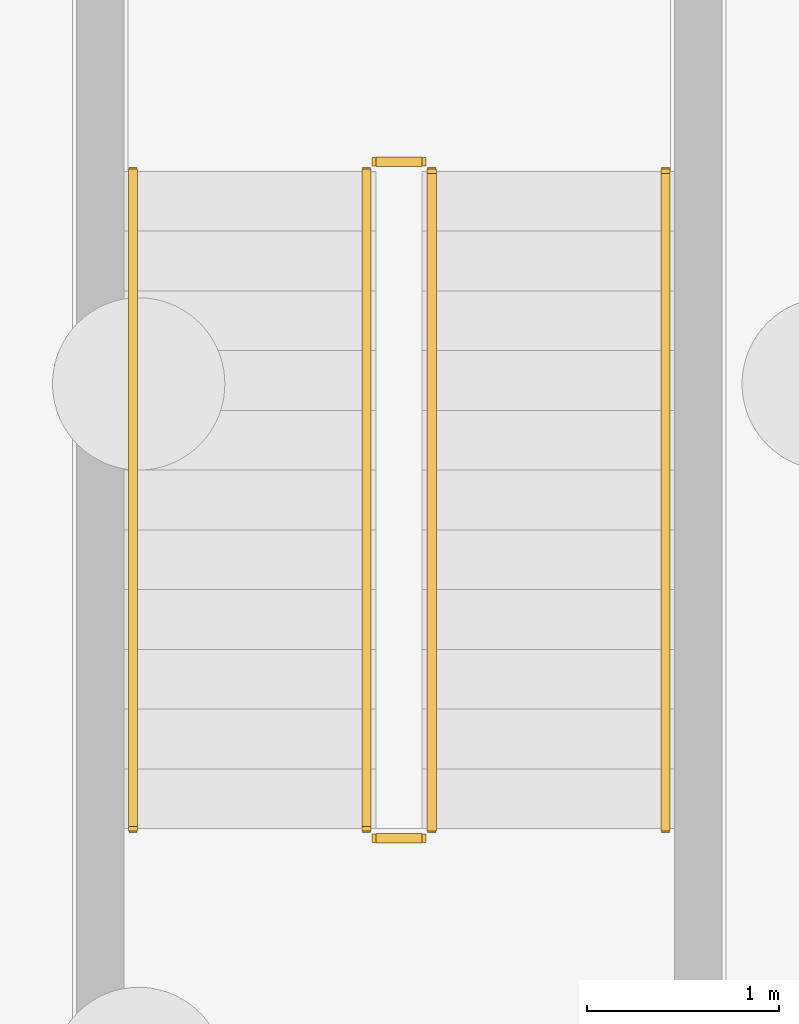
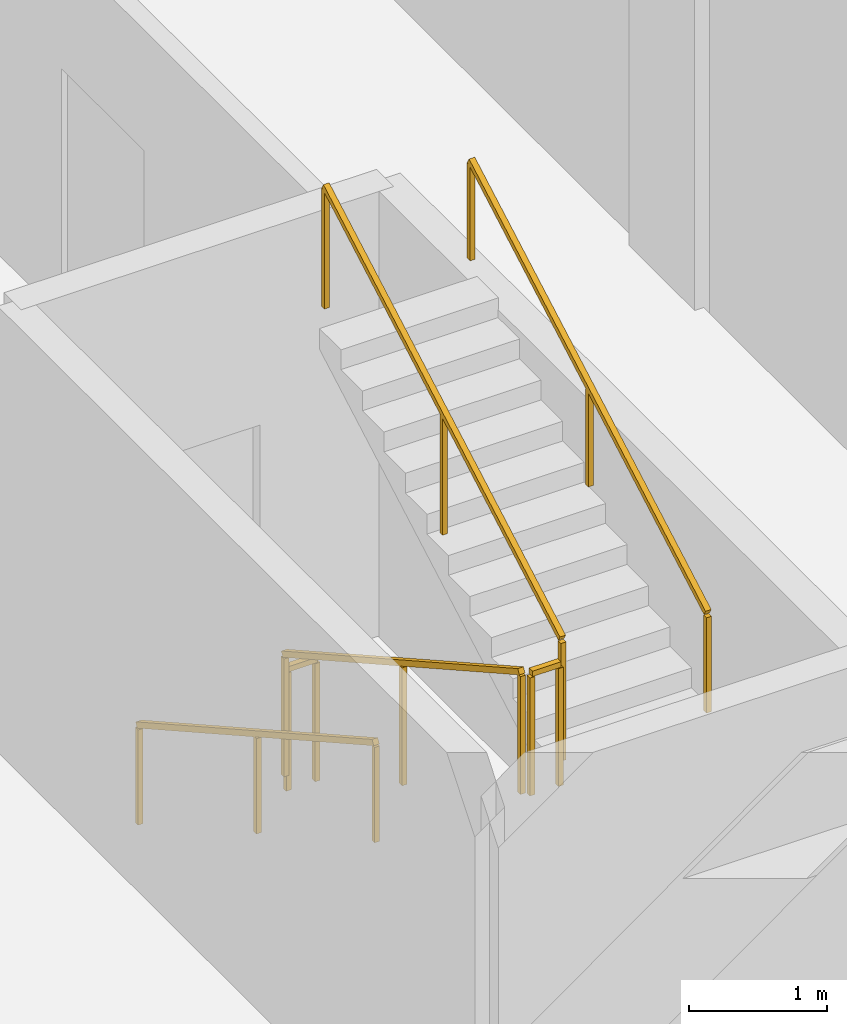
# One storey, part 11 of 13: 6 railings.
"""IFC4 building model written with IfcOpenShell, lengths in metres."""

from ifc_helpers import new_model, si_unit, direction, frame, origin, origin_2d, place, context, subcontext, project, spatial, rectangle, extrude, material, type_object, element, save


model = new_model("IFC4")

# Units and contexts
model_context = context("Model", 3, precision=1e-05, world=origin(), true_north=direction((0.0, 1.0)))
body_context = subcontext(model_context, "Body", "Model", "MODEL_VIEW")
ifc_project = project(units=[si_unit("LENGTHUNIT", "METRE"), si_unit("AREAUNIT", "SQUARE_METRE"), si_unit("VOLUMEUNIT", "CUBIC_METRE"), si_unit("PLANEANGLEUNIT", "RADIAN"), si_unit("MASSUNIT", "GRAM", prefix="KILO")], contexts=[model_context])

# Site, building, storey
site_placement = place(None, origin())
site = spatial("IfcSite", under=ifc_project, at=site_placement, CompositionType="ELEMENT")
building_placement = place(site_placement, origin())
building = spatial("IfcBuilding", under=site, at=building_placement, Name="Keilestroom Media Tower", CompositionType="ELEMENT")
storey_placement = place(building_placement, frame((0.0, 0.0, -8.39990234375)))
storey = spatial("IfcBuildingStorey", under=building, at=storey_placement, Name="B2", CompositionType="ELEMENT", Elevation=-8.39990234375)

# Railings
ifc_material_1 = material(Name="Brushed Stainless Steel 1.4301", Category="steel")
railing_type_1 = type_object("IfcRailingType", Name="Stair-Pitch-Handrail-920", PredefinedType="HANDRAIL", material=ifc_material_1)
railing_1_placement = place(storey_placement, frame((25.169921875, -13.2900390625, 0.1748046875)))
element("IfcRailing", 1, at=railing_1_placement, inside=storey, type_object=railing_type_1, Name="B2 ST-4 stair handrail 1", PredefinedType="HANDRAIL", context=body_context, shape_type="SweptSolid", body=[
    extrude(rectangle(XDim=0.048095703125, YDim=0.048095703125, at=origin_2d()), frame((0.0, 0.0, 0.8759765625), z_axis=(0.0, -0.872159829118, 0.489221046638), x_axis=(1.0, 0.0, 0.0)), (0.0, 0.0, 1.0), 3.934814453125),
    extrude(rectangle(XDim=0.0419921875, YDim=0.0419921875, at=origin_2d()), origin(), (0.0, 0.0, 1.0), 0.84375),
    extrude(rectangle(XDim=0.0419921875, YDim=0.0419921875, at=origin_2d()), frame((0.0, -1.7158203125, 0.96240234375)), (0.0, 0.0, 1.0), 0.84375),
    extrude(rectangle(XDim=0.0419921875, YDim=0.0419921875, at=origin_2d()), frame((0.0, -3.431884765625, 1.925048828125)), (0.0, 0.0, 1.0), 0.84375),
])
railing_2_placement = place(storey_placement, frame((27.949951171875, -16.721923828125, 2.27490234375)))
element("IfcRailing", 2, at=railing_2_placement, inside=storey, type_object=railing_type_1, Name="B2 ST-4 stair handrail 2", PredefinedType="HANDRAIL", context=body_context, shape_type="SweptSolid", body=[
    extrude(rectangle(XDim=0.048095703125, YDim=0.048095703125, at=origin_2d()), frame((0.0, 0.0, 0.8759765625), z_axis=(0.0, 0.872159829118, 0.489221046638), x_axis=(-1.0, 0.0, 0.0)), (0.0, 0.0, 1.0), 3.934814453125),
    extrude(rectangle(XDim=0.0419921875, YDim=0.0419921875, at=origin_2d()), origin(), (0.0, 0.0, 1.0), 0.84375),
    extrude(rectangle(XDim=0.0419921875, YDim=0.0419921875, at=origin_2d()), frame((0.0, 1.7158203125, 0.96240234375)), (0.0, 0.0, 1.0), 0.84375),
    extrude(rectangle(XDim=0.0419921875, YDim=0.0419921875, at=origin_2d()), frame((0.0, 3.431884765625, 1.925048828125)), (0.0, 0.0, 1.0), 0.84375),
])
ifc_material_2 = material(Name="Painted Steel Balustrade", Category="steel")
railing_type_2 = type_object("IfcRailingType", Name="Stair-Well-And-Landing-Guard-1100", PredefinedType="GUARDRAIL", material=ifc_material_2)
railing_3_placement = place(storey_placement, frame((26.389892578125, -13.2900390625, 0.1748046875)))
element("IfcRailing", 3, at=railing_3_placement, inside=storey, type_object=railing_type_2, Name="B2 ST-4 stair guard 1", PredefinedType="GUARDRAIL", context=body_context, shape_type="SweptSolid", body=[
    extrude(rectangle(XDim=0.048095703125, YDim=0.048095703125, at=origin_2d()), frame((0.0, 0.0, 1.076171875), z_axis=(0.0, -0.872159829118, 0.489221046638), x_axis=(1.0, 0.0, 0.0)), (0.0, 0.0, 1.0), 3.934814453125),
    extrude(rectangle(XDim=0.0419921875, YDim=0.0419921875, at=origin_2d()), origin(), (0.0, 0.0, 1.0), 1.0439453125),
    extrude(rectangle(XDim=0.0419921875, YDim=0.0419921875, at=origin_2d()), frame((0.0, -1.7158203125, 0.96240234375)), (0.0, 0.0, 1.0), 1.0439453125),
    extrude(rectangle(XDim=0.0419921875, YDim=0.0419921875, at=origin_2d()), frame((0.0, -3.431884765625, 1.925048828125)), (0.0, 0.0, 1.0), 1.0439453125),
])
railing_4_placement = place(storey_placement, frame((26.43994140625, -16.77197265625, 2.099853515625)))
element("IfcRailing", 4, at=railing_4_placement, inside=storey, type_object=railing_type_2, Name="B2 ST-4 stair guard 2", PredefinedType="GUARDRAIL", context=body_context, shape_type="SweptSolid", body=[
    extrude(rectangle(XDim=0.048095703125, YDim=0.048095703125, at=origin_2d()), frame((0.0, 0.0, 1.076171875), z_axis=(1.0, 0.0, 0.0), x_axis=(0.0, 1.0, 0.0)), (0.0, 0.0, 1.0), 0.239990234375),
    extrude(rectangle(XDim=0.0419921875, YDim=0.0419921875, at=origin_2d()), origin(), (0.0, 0.0, 1.0), 1.0439453125),
    extrude(rectangle(XDim=0.0419921875, YDim=0.0419921875, at=origin_2d()), frame((0.239990234375, 0.0, 0.0)), (0.0, 0.0, 1.0), 1.0439453125),
])
railing_5_placement = place(storey_placement, frame((26.72998046875, -16.721923828125, 2.27490234375)))
element("IfcRailing", 5, at=railing_5_placement, inside=storey, type_object=railing_type_2, Name="B2 ST-4 stair guard 3", PredefinedType="GUARDRAIL", context=body_context, shape_type="SweptSolid", body=[
    extrude(rectangle(XDim=0.048095703125, YDim=0.048095703125, at=origin_2d()), frame((0.0, 0.0, 1.076171875), z_axis=(0.0, 0.872159829118, 0.489221046638), x_axis=(-1.0, 0.0, 0.0)), (0.0, 0.0, 1.0), 3.934814453125),
    extrude(rectangle(XDim=0.0419921875, YDim=0.0419921875, at=origin_2d()), origin(), (0.0, 0.0, 1.0), 1.0439453125),
    extrude(rectangle(XDim=0.0419921875, YDim=0.0419921875, at=origin_2d()), frame((0.0, 1.7158203125, 0.96240234375)), (0.0, 0.0, 1.0), 1.0439453125),
    extrude(rectangle(XDim=0.0419921875, YDim=0.0419921875, at=origin_2d()), frame((0.0, 3.431884765625, 1.925048828125)), (0.0, 0.0, 1.0), 1.0439453125),
])
railing_6_placement = place(storey_placement, frame((26.43994140625, -13.239990234375, 0.0)))
element("IfcRailing", 6, at=railing_6_placement, inside=storey, type_object=railing_type_2, Name="B2 ST-4 stair guard 4", PredefinedType="GUARDRAIL", context=body_context, shape_type="SweptSolid", body=[
    extrude(rectangle(XDim=0.048095703125, YDim=0.048095703125, at=origin_2d()), frame((0.0, 0.0, 1.076171875), z_axis=(1.0, 0.0, 0.0), x_axis=(0.0, 1.0, 0.0)), (0.0, 0.0, 1.0), 0.239990234375),
    extrude(rectangle(XDim=0.0419921875, YDim=0.0419921875, at=origin_2d()), origin(), (0.0, 0.0, 1.0), 1.0439453125),
    extrude(rectangle(XDim=0.0419921875, YDim=0.0419921875, at=origin_2d()), frame((0.239990234375, 0.0, 0.0)), (0.0, 0.0, 1.0), 1.0439453125),
])

save(model, "model.ifc")
